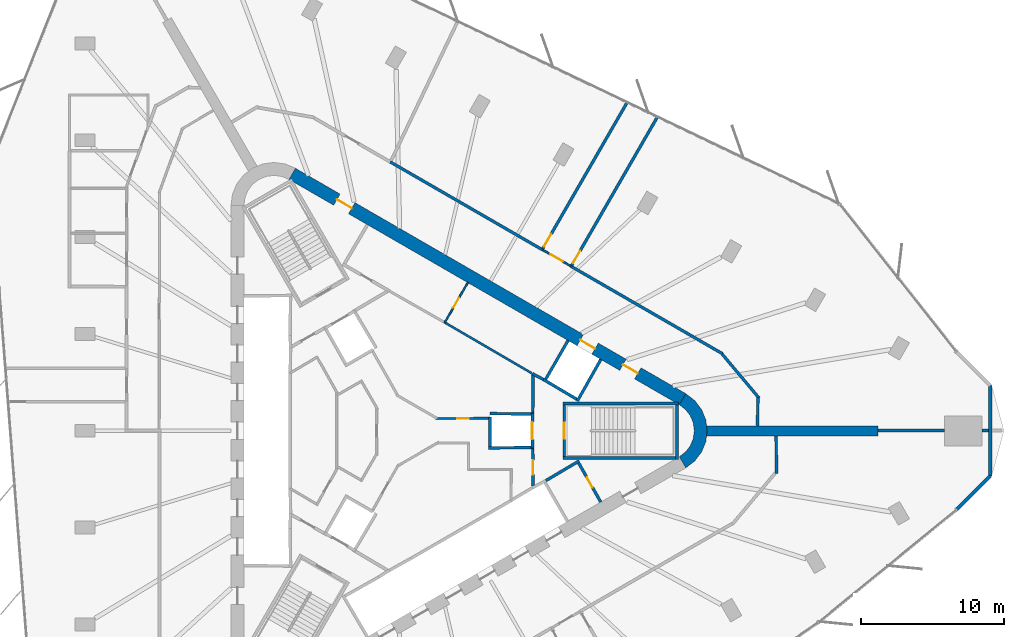
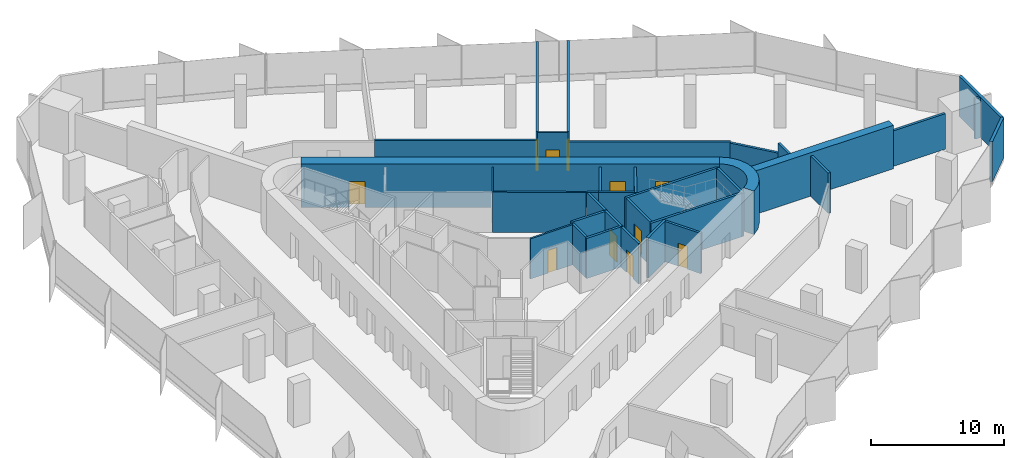
# One storey, part 11 of 13: 34 walls, 12 doors, 12 openings.
"""IFC4 building model written with IfcOpenShell, lengths in metres."""

from ifc_helpers import new_model, si_unit, direction, frame, frame_2d, origin, place, context, subcontext, project, spatial, polyline, rectangle, outline, extrude, material, layer, layer_set, type_object, element, fill, save


model = new_model("IFC4")

# Units and contexts
model_context = context("Model", 3, precision=1e-05, world=origin(), true_north=direction((0.0, 1.0)))
body_context = subcontext(model_context, "Body", "Model", "MODEL_VIEW")
ifc_project = project(units=[si_unit("LENGTHUNIT", "METRE"), si_unit("AREAUNIT", "SQUARE_METRE"), si_unit("VOLUMEUNIT", "CUBIC_METRE"), si_unit("PLANEANGLEUNIT", "RADIAN"), si_unit("MASSUNIT", "GRAM", prefix="KILO")], contexts=[model_context])

# Site, building, storey
site_placement = place(None, origin())
site = spatial("IfcSite", under=ifc_project, at=site_placement, CompositionType="ELEMENT")
building_placement = place(site_placement, origin())
building = spatial("IfcBuilding", under=site, at=building_placement, Name="Tanit Gate Tower", CompositionType="ELEMENT")
storey_placement = place(building_placement, frame((0.0, 0.0, 197.199951171875)))
storey = spatial("IfcBuildingStorey", under=building, at=storey_placement, Name="L43", CompositionType="ELEMENT", Elevation=197.199951171875)

# Wall
ifc_material_1 = material(Name="Concrete C50/60", Category="concrete")
ifc_layer_1 = layer(ifc_material_1, 0.699951171875)
ifc_layer_set_1 = layer_set([ifc_layer_1], Name="BUTTRESS FIN 700 C50/60")
wall_type_1 = type_object("IfcWallType", Name="BUTTRESS FIN 700 C50/60", PredefinedType="SHEAR", material=ifc_layer_set_1)
wall_1_placement = place(storey_placement, frame((21.14990234375, 0.0, 0.0), z_axis=(0.0, 0.0, 1.0), x_axis=(1.0, 0.0, 0.0)))
element("IfcWall", 1, at=wall_1_placement, inside=storey, type_object=wall_type_1, Name="BUTTRESS FIN", PredefinedType="SHEAR", context=body_context, shape_type="SweptSolid", body=[
    extrude(rectangle(XDim=12.0068359375, YDim=0.699951171875, at=frame_2d((6.00341796875, 0.0))), origin(), (0.0, 0.0, 1.0), 4.0),
])

# Wall, openings, doors
ifc_material_2 = material(Name="Concrete C50/60", Category="concrete")
ifc_layer_2 = layer(ifc_material_2, 0.89990234375)
ifc_layer_set_2 = layer_set([ifc_layer_2], Name="CORE WALL 900 C50/60")
wall_type_2 = type_object("IfcWallType", Name="CORE WALL 900 C50/60", PredefinedType="SHEAR", material=ifc_layer_set_2)
wall_2_placement = place(storey_placement, frame((19.47509765625, 2.20849609375, 0.0), z_axis=(0.0, 0.0, 1.0), x_axis=(-0.866028369851, 0.499994862586, 0.0)))
wall_2 = element("IfcWall", 2, at=wall_2_placement, inside=storey, type_object=wall_type_2, Name="CORE WALL", PredefinedType="SHEAR", context=body_context, shape_type="SweptSolid", body=[
    extrude(rectangle(XDim=31.523193359375, YDim=0.89990234375, at=frame_2d((15.76171875, 0.0))), origin(), (0.0, 0.0, 1.0), 4.0),
])
opening_1_placement = place(wall_2_placement, frame((7.0615234375, 0.0, 0.0)))
opening_1 = element("IfcOpeningElement", 3, at=opening_1_placement, cuts=wall_2, Name="Opening LDML8-S11", PredefinedType="OPENING", context=body_context, shape_type="SweptSolid", body=[
    extrude(rectangle(XDim=1.199951171875, YDim=2.39990234375, at=frame_2d((0.60009765625, 1.199951171875))), frame((0.0, 0.4599609375, 0.0), z_axis=(0.0, -1.0, 0.0), x_axis=(1.0, 0.0, 0.0)), (0.0, 0.0, 1.0), 0.919921875),
])
opening_2_placement = place(wall_2_placement, frame((3.611572265625, 0.0, 0.0)))
opening_2 = element("IfcOpeningElement", 4, at=opening_2_placement, cuts=wall_2, Name="Opening F12-S11-FL1", PredefinedType="OPENING", context=body_context, shape_type="SweptSolid", body=[
    extrude(rectangle(XDim=1.199951171875, YDim=2.39990234375, at=frame_2d((0.60009765625, 1.199951171875))), frame((0.0, 0.4599609375, 0.0), z_axis=(0.0, -1.0, 0.0), x_axis=(1.0, 0.0, 0.0)), (0.0, 0.0, 1.0), 0.919921875),
])
opening_3_placement = place(wall_2_placement, frame((26.711669921875, 0.0, 0.0)))
opening_3 = element("IfcOpeningElement", 5, at=opening_3_placement, cuts=wall_2, Name="Opening F12-S11-S2", PredefinedType="OPENING", context=body_context, shape_type="SweptSolid", body=[
    extrude(rectangle(XDim=1.199951171875, YDim=2.39990234375, at=frame_2d((0.60009765625, 1.199951171875))), frame((0.0, 0.4599609375, 0.0), z_axis=(0.0, -1.0, 0.0), x_axis=(1.0, 0.0, 0.0)), (0.0, 0.0, 1.0), 0.919921875),
])
ifc_material_3 = material(Name="Fire-rated steel door leaf", Category="steel")
door_type_1 = type_object("IfcDoorType", Name="INT-DOOR-FIRE-LOBBY-1200", OperationType="NOTDEFINED", PredefinedType="USERDEFINED", material=ifc_material_3)
door_1_placement = place(opening_2_placement, origin())
door_1 = element("IfcDoor", 6, at=door_1_placement, inside=storey, type_object=door_type_1, Name="Door F12-S11-FL1", ObjectType="FIRE DOOR", OperationType="SINGLE_SWING_LEFT", OverallHeight=2.39990234375, OverallWidth=1.199951171875, PredefinedType="USERDEFINED", context=body_context, shape_type="SweptSolid", body=[
    extrude(rectangle(XDim=1.199951171875, YDim=2.39990234375, at=frame_2d((0.60009765625, 1.199951171875))), frame((0.0, 0.02490234375, 0.0), z_axis=(0.0, -1.0, 0.0), x_axis=(1.0, 0.0, 0.0)), (0.0, 0.0, 1.0), 0.050048828125),
])
fill(opening_2, door_1)
door_2_placement = place(opening_3_placement, origin())
door_2 = element("IfcDoor", 7, at=door_2_placement, inside=storey, type_object=door_type_1, Name="Door F12-S11-S2", ObjectType="FIRE DOOR", OperationType="SINGLE_SWING_RIGHT", OverallHeight=2.39990234375, OverallWidth=1.199951171875, PredefinedType="USERDEFINED", context=body_context, shape_type="SweptSolid", body=[
    extrude(rectangle(XDim=1.199951171875, YDim=2.39990234375, at=frame_2d((0.60009765625, 1.199951171875))), frame((0.0, 0.02490234375, 0.0), z_axis=(0.0, -1.0, 0.0), x_axis=(1.0, 0.0, 0.0)), (0.0, 0.0, 1.0), 0.050048828125),
])
fill(opening_3, door_2)
ifc_material_4 = material(Name="Stainless steel sliding door leaf", Category="steel")
door_type_2 = type_object("IfcDoorType", Name="INT-DOOR-LANDING-1200", OperationType="NOTDEFINED", PredefinedType="USERDEFINED", material=ifc_material_4)
door_3_placement = place(opening_1_placement, origin())
door_3 = element("IfcDoor", 8, at=door_3_placement, inside=storey, type_object=door_type_2, Name="Door LDML8-S11", ObjectType="LANDING DOOR", OperationType="SLIDING_TO_LEFT", OverallHeight=2.39990234375, OverallWidth=1.199951171875, PredefinedType="USERDEFINED", context=body_context, shape_type="SweptSolid", body=[
    extrude(rectangle(XDim=1.199951171875, YDim=2.39990234375, at=frame_2d((0.60009765625, 1.199951171875))), frame((0.0, 0.02490234375, 0.0), z_axis=(0.0, -1.0, 0.0), x_axis=(1.0, 0.0, 0.0)), (0.0, 0.0, 1.0), 0.050048828125),
])
fill(opening_1, door_3)

# Walls
wall_3_placement = place(storey_placement, origin())
element("IfcWall", 9, at=wall_3_placement, inside=storey, type_object=wall_type_2, Name="CORE WALL CORNER", PredefinedType="SHEAR", context=body_context, shape_type="SweptSolid", body=[
    extrude(outline(polyline([(19.699951171875, -2.59814453125), (20.3212890625, -2.121337890625), (20.798095703125, -1.5), (21.097900390625, -0.776611328125), (21.199951171875, 0.0), (21.097900390625, 0.776611328125), (20.798095703125, 1.5), (20.3212890625, 2.121337890625), (19.699951171875, 2.59814453125), (19.25, 1.818603515625), (19.684814453125, 1.48486328125), (20.018798828125, 1.050048828125), (20.228515625, 0.54345703125), (20.300048828125, 0.0), (20.228515625, -0.54345703125), (20.018798828125, -1.050048828125), (19.684814453125, -1.48486328125), (19.25, -1.818603515625), (19.699951171875, -2.59814453125)])), origin(), (0.0, 0.0, 1.0), 4.0),
])
ifc_material_5 = material(Name="Concrete C30/37 with bronze anodised aluminium cladding", Category="concrete")
ifc_layer_3 = layer(ifc_material_5, 0.239990234375)
ifc_layer_set_3 = layer_set([ifc_layer_3], Name="Facade wall bronze clad 240")
wall_type_3 = type_object("IfcWallType", Name="Facade wall bronze clad 240", PredefinedType="SOLIDWALL", material=ifc_layer_set_3)
wall_4_placement = place(storey_placement, frame((38.648681640625, -5.5009765625, 0.0), z_axis=(0.0, 0.0, 1.0), x_axis=(0.707106781187, 0.707106781187, 0.0)))
element("IfcWall", 10, at=wall_4_placement, inside=storey, type_object=wall_type_3, Name="Bronze-clad facade wall L43 E.arc1", PredefinedType="SOLIDWALL", context=body_context, shape_type="SweptSolid", body=[
    extrude(rectangle(XDim=3.30322265625, YDim=0.239990234375, at=frame_2d((1.651611328125, 0.0))), origin(), (0.0, 0.0, 1.0), 3.699951171875),
])
wall_5_placement = place(storey_placement, frame((40.984375, -3.165283203125, 0.0), z_axis=(0.0, 0.0, 1.0), x_axis=(0.0, 1.0, 0.0)))
element("IfcWall", 11, at=wall_5_placement, inside=storey, type_object=wall_type_3, Name="Bronze-clad facade wall L43 E.arc2", PredefinedType="SOLIDWALL", context=body_context, shape_type="SweptSolid", body=[
    extrude(rectangle(XDim=6.33056640625, YDim=0.239990234375, at=frame_2d((3.165283203125, 0.0))), origin(), (0.0, 0.0, 1.0), 3.699951171875),
])
ifc_material_6 = material(Name="Fire-rated gypsum board partition")
ifc_layer_4 = layer(ifc_material_6, 0.199951171875)
ifc_layer_set_4 = layer_set([ifc_layer_4], Name="INT-WALL-COMPARTMENT")
wall_type_4 = type_object("IfcWallType", Name="INT-WALL-COMPARTMENT", PredefinedType="PARTITIONING", material=ifc_layer_set_4)
wall_6_placement = place(storey_placement, frame((8.97412109375, 3.998779296875, 0.0), z_axis=(0.0, 0.0, 1.0), x_axis=(0.880917147855, -0.473270513147, 0.0)))
element("IfcWall", 12, at=wall_6_placement, inside=storey, type_object=wall_type_4, Name="Wall Compartment W050", PredefinedType="PARTITIONING", context=body_context, shape_type="SweptSolid", body=[
    extrude(rectangle(XDim=0.8779296875, YDim=0.199951171875, at=frame_2d((0.43896484375, 0.0))), origin(), (0.0, 0.0, 1.0), 3.699951171875),
])
wall_7_placement = place(storey_placement, frame((12.244873046875, -2.10888671875, 0.0), z_axis=(0.0, 0.0, 1.0), x_axis=(-0.860414880418, -0.509594185166, 0.0)))
element("IfcWall", 13, at=wall_7_placement, inside=storey, type_object=wall_type_4, Name="Wall Compartment W055", PredefinedType="PARTITIONING", context=body_context, shape_type="SweptSolid", body=[
    extrude(rectangle(XDim=2.7001953125, YDim=0.199951171875, at=frame_2d((1.35009765625, 0.0))), origin(), (0.0, 0.0, 1.0), 3.699951171875),
])

# Wall, opening, door
wall_8_placement = place(storey_placement, frame((13.758056640625, -4.989501953125, 0.0), z_axis=(0.0, 0.0, 1.0), x_axis=(-0.491993409184, 0.87059892334, 0.0)))
wall_8 = element("IfcWall", 14, at=wall_8_placement, inside=storey, type_object=wall_type_4, Name="Wall Compartment W056", PredefinedType="PARTITIONING", context=body_context, shape_type="SweptSolid", body=[
    extrude(rectangle(XDim=3.150146484375, YDim=0.199951171875, at=frame_2d((1.5751953125, 0.0))), origin(), (0.0, 0.0, 1.0), 3.699951171875),
])
opening_4_placement = place(wall_8_placement, frame((1.175048828125, 0.0, 0.0)))
opening_4 = element("IfcOpeningElement", 15, at=opening_4_placement, cuts=wall_8, Name="Opening R08-S11-16", PredefinedType="OPENING", context=body_context, shape_type="SweptSolid", body=[
    extrude(rectangle(XDim=0.800048828125, YDim=2.10009765625, at=frame_2d((0.39990234375, 1.050048828125))), frame((0.0, 0.10986328125, 0.0), z_axis=(0.0, -1.0, 0.0), x_axis=(1.0, 0.0, 0.0)), (0.0, 0.0, 1.0), 0.219970703125),
])
ifc_material_7 = material(Name="Timber door leaf", Category="wood")
door_type_3 = type_object("IfcDoorType", Name="INT-DOOR-RISER-800", OperationType="NOTDEFINED", PredefinedType="USERDEFINED", material=ifc_material_7)
door_4_placement = place(opening_4_placement, origin())
door_4 = element("IfcDoor", 16, at=door_4_placement, inside=storey, type_object=door_type_3, Name="Door R08-S11-16", ObjectType="FIRE DOOR", OperationType="SINGLE_SWING_LEFT", OverallHeight=2.10009765625, OverallWidth=0.800048828125, PredefinedType="USERDEFINED", context=body_context, shape_type="SweptSolid", body=[
    extrude(rectangle(XDim=0.800048828125, YDim=2.10009765625, at=frame_2d((0.39990234375, 1.050048828125))), frame((0.0, 0.02490234375, 0.0), z_axis=(0.0, -1.0, 0.0), x_axis=(1.0, 0.0, 0.0)), (0.0, 0.0, 1.0), 0.050048828125),
])
fill(opening_4, door_4)

# Wall
wall_9_placement = place(storey_placement, frame((9.0009765625, 1.27001953125, 0.0), z_axis=(0.0, 0.0, 1.0), x_axis=(0.010747252091, 0.999942246619, 0.0)))
element("IfcWall", 17, at=wall_9_placement, inside=storey, type_object=wall_type_4, Name="Wall Compartment W057", PredefinedType="PARTITIONING", context=body_context, shape_type="SweptSolid", body=[
    extrude(rectangle(XDim=2.72607421875, YDim=0.199951171875, at=frame_2d((1.363037109375, 0.0))), origin(), (0.0, 0.0, 1.0), 3.699951171875),
])

# Wall, opening, door
wall_10_placement = place(storey_placement, frame((9.02880859375, -3.850830078125, 0.0), z_axis=(0.0, 0.0, 1.0), x_axis=(-0.010783593937, 0.99994185536, 0.0)))
wall_10 = element("IfcWall", 18, at=wall_10_placement, inside=storey, type_object=wall_type_4, Name="Wall Compartment W058", PredefinedType="PARTITIONING", context=body_context, shape_type="SweptSolid", body=[
    extrude(rectangle(XDim=2.5810546875, YDim=0.199951171875, at=frame_2d((1.29052734375, 0.0))), origin(), (0.0, 0.0, 1.0), 3.699951171875),
])
opening_5_placement = place(wall_10_placement, frame((0.79052734375, 0.0, 0.0)))
opening_5 = element("IfcOpeningElement", 19, at=opening_5_placement, cuts=wall_10, Name="Opening F10-S11-02", PredefinedType="OPENING", context=body_context, shape_type="SweptSolid", body=[
    extrude(rectangle(XDim=1.0, YDim=2.10009765625, at=frame_2d((0.5, 1.050048828125))), frame((0.0, 0.10986328125, 0.0), z_axis=(0.0, -1.0, 0.0), x_axis=(1.0, 0.0, 0.0)), (0.0, 0.0, 1.0), 0.219970703125),
])
ifc_material_8 = material(Name="Fire-rated steel door leaf", Category="steel")
door_type_4 = type_object("IfcDoorType", Name="INT-DOOR-FIRE-1000", OperationType="NOTDEFINED", PredefinedType="USERDEFINED", material=ifc_material_8)
door_5_placement = place(opening_5_placement, origin())
door_5 = element("IfcDoor", 20, at=door_5_placement, inside=storey, type_object=door_type_4, Name="Door F10-S11-02", ObjectType="FIRE DOOR", OperationType="SINGLE_SWING_LEFT", OverallHeight=2.10009765625, OverallWidth=1.0, PredefinedType="USERDEFINED", context=body_context, shape_type="SweptSolid", body=[
    extrude(rectangle(XDim=1.0, YDim=2.10009765625, at=frame_2d((0.5, 1.050048828125))), frame((0.0, 0.02490234375, 0.0), z_axis=(0.0, -1.0, 0.0), x_axis=(1.0, 0.0, 0.0)), (0.0, 0.0, 1.0), 0.050048828125),
])
fill(opening_5, door_5)

# Walls
wall_11_placement = place(storey_placement, frame((22.270263671875, 5.386474609375, 0.0), z_axis=(0.0, 0.0, 1.0), x_axis=(-0.866019551165, 0.500010136897, 0.0)))
element("IfcWall", 21, at=wall_11_placement, inside=storey, type_object=wall_type_4, Name="Wall Compartment W104", PredefinedType="PARTITIONING", context=body_context, shape_type="SweptSolid", body=[
    extrude(rectangle(XDim=12.243408203125, YDim=0.199951171875, at=frame_2d((6.12158203125, 0.0))), origin(), (0.0, 0.0, 1.0), 2.880126953125),
])
wall_12_placement = place(storey_placement, frame((9.67529296875, 12.658203125, 0.0), z_axis=(0.0, 0.0, 1.0), x_axis=(-0.866018456403, 0.500012033024, 0.0)))
element("IfcWall", 22, at=wall_12_placement, inside=storey, type_object=wall_type_4, Name="Wall Compartment W103", PredefinedType="PARTITIONING", context=body_context, shape_type="SweptSolid", body=[
    extrude(rectangle(XDim=12.284912109375, YDim=0.199951171875, at=frame_2d((6.142578125, 0.0))), origin(), (0.0, 0.0, 1.0), 2.97998046875),
])
wall_13_placement = place(storey_placement, frame((24.82080078125, 2.293701171875, 0.0), z_axis=(0.0, 0.0, 1.0), x_axis=(-0.642778579944, 0.766052019882, 0.0)))
element("IfcWall", 23, at=wall_13_placement, inside=storey, type_object=wall_type_4, Name="Wall Compartment W105", PredefinedType="PARTITIONING", context=body_context, shape_type="SweptSolid", body=[
    extrude(rectangle(XDim=4.00244140625, YDim=0.199951171875, at=frame_2d((2.001220703125, 0.0))), origin(), (0.0, 0.0, 1.0), 2.780029296875),
])
wall_14_placement = place(storey_placement, frame((24.720703125, 0.35009765625, 0.0), z_axis=(0.0, 0.0, 1.0), x_axis=(0.012552857034, 0.999921209786, 0.0)))
element("IfcWall", 24, at=wall_14_placement, inside=storey, type_object=wall_type_4, Name="Wall Compartment W106", PredefinedType="PARTITIONING", context=body_context, shape_type="SweptSolid", body=[
    extrude(rectangle(XDim=1.98388671875, YDim=0.199951171875, at=frame_2d((0.991943359375, 0.0))), origin(), (0.0, 0.0, 1.0), 3.699951171875),
])
wall_15_placement = place(storey_placement, frame((26.04736328125, -2.972412109375, 0.0), z_axis=(0.0, 0.0, 1.0), x_axis=(-0.010519853563, 0.99994466481, 0.0)))
element("IfcWall", 25, at=wall_15_placement, inside=storey, type_object=wall_type_4, Name="Wall Compartment W108", PredefinedType="PARTITIONING", context=body_context, shape_type="SweptSolid", body=[
    extrude(rectangle(XDim=2.62255859375, YDim=0.199951171875, at=frame_2d((1.311279296875, 0.0))), origin(), (0.0, 0.0, 1.0), 3.699951171875),
])

# Wall, opening, door
wall_16_placement = place(storey_placement, frame((15.5986328125, 22.9580078125, 0.0), z_axis=(0.0, 0.0, 1.0), x_axis=(-0.499990610615, -0.866030824681, 0.0)))
wall_16 = element("IfcWall", 26, at=wall_16_placement, inside=storey, type_object=wall_type_4, Name="Wall Compartment W128", PredefinedType="PARTITIONING", context=body_context, shape_type="SweptSolid", body=[
    extrude(rectangle(XDim=11.821533203125, YDim=0.199951171875, at=frame_2d((5.91064453125, 0.0))), origin(), (0.0, 0.0, 1.0), 3.699951171875),
])
opening_6_placement = place(wall_16_placement, frame((10.621337890625, 0.0, 0.0)))
opening_6 = element("IfcOpeningElement", 27, at=opening_6_placement, cuts=wall_16, Name="Opening F10-S11-28", PredefinedType="OPENING", context=body_context, shape_type="SweptSolid", body=[
    extrude(rectangle(XDim=1.0, YDim=2.10009765625, at=frame_2d((0.5, 1.050048828125))), frame((0.0, 0.10986328125, 0.0), z_axis=(0.0, -1.0, 0.0), x_axis=(1.0, 0.0, 0.0)), (0.0, 0.0, 1.0), 0.219970703125),
])
door_6_placement = place(opening_6_placement, origin())
door_6 = element("IfcDoor", 28, at=door_6_placement, inside=storey, type_object=door_type_4, Name="Door F10-S11-28", ObjectType="FIRE DOOR", OperationType="SINGLE_SWING_LEFT", OverallHeight=2.10009765625, OverallWidth=1.0, PredefinedType="USERDEFINED", context=body_context, shape_type="SweptSolid", body=[
    extrude(rectangle(XDim=1.0, YDim=2.10009765625, at=frame_2d((0.5, 1.050048828125))), frame((0.0, 0.02490234375, 0.0), z_axis=(0.0, -1.0, 0.0), x_axis=(1.0, 0.0, 0.0)), (0.0, 0.0, 1.0), 0.050048828125),
])
fill(opening_6, door_6)

wall_17_placement = place(storey_placement, frame((11.714599609375, 11.550048828125, 0.0), z_axis=(0.0, 0.0, 1.0), x_axis=(0.499988877688, 0.866031825159, 0.0)))
wall_17 = element("IfcWall", 29, at=wall_17_placement, inside=storey, type_object=wall_type_4, Name="Wall Compartment W129", PredefinedType="PARTITIONING", context=body_context, shape_type="SweptSolid", body=[
    extrude(rectangle(XDim=12.004150390625, YDim=0.199951171875, at=frame_2d((6.001953125, 0.0))), origin(), (0.0, 0.0, 1.0), 3.699951171875),
])
opening_7_placement = place(wall_17_placement, frame((0.199951171875, 0.0, 0.0)))
opening_7 = element("IfcOpeningElement", 30, at=opening_7_placement, cuts=wall_17, Name="Opening F10-S11-29", PredefinedType="OPENING", context=body_context, shape_type="SweptSolid", body=[
    extrude(rectangle(XDim=1.0, YDim=2.10009765625, at=frame_2d((0.5, 1.050048828125))), frame((0.0, 0.10986328125, 0.0), z_axis=(0.0, -1.0, 0.0), x_axis=(1.0, 0.0, 0.0)), (0.0, 0.0, 1.0), 0.219970703125),
])
door_7_placement = place(opening_7_placement, origin())
door_7 = element("IfcDoor", 31, at=door_7_placement, inside=storey, type_object=door_type_4, Name="Door F10-S11-29", ObjectType="FIRE DOOR", OperationType="SINGLE_SWING_LEFT", OverallHeight=2.10009765625, OverallWidth=1.0, PredefinedType="USERDEFINED", context=body_context, shape_type="SweptSolid", body=[
    extrude(rectangle(XDim=1.0, YDim=2.10009765625, at=frame_2d((0.5, 1.050048828125))), frame((0.0, 0.02490234375, 0.0), z_axis=(0.0, -1.0, 0.0), x_axis=(1.0, 0.0, 0.0)), (0.0, 0.0, 1.0), 0.050048828125),
])
fill(opening_7, door_7)

# Walls
wall_18_placement = place(storey_placement, frame((33.15673828125, 0.01806640625, 0.0), z_axis=(0.0, 0.0, 1.0), x_axis=(0.999996690576, 0.002572710167, 0.0)))
element("IfcWall", 32, at=wall_18_placement, inside=storey, type_object=wall_type_4, Name="Wall Compartment W131", PredefinedType="PARTITIONING", context=body_context, shape_type="SweptSolid", body=[
    extrude(rectangle(XDim=4.64990234375, YDim=0.199951171875, at=frame_2d((2.324951171875, 0.0))), origin(), (0.0, 0.0, 1.0), 3.27001953125),
])
wall_19_placement = place(storey_placement, frame((40.40673828125, 0.030029296875, 0.0), z_axis=(0.0, 0.0, 1.0), x_axis=(1.0, 0.0, 0.0)))
element("IfcWall", 33, at=wall_19_placement, inside=storey, type_object=wall_type_4, Name="Wall Compartment W132", PredefinedType="PARTITIONING", context=body_context, shape_type="SweptSolid", body=[
    extrude(rectangle(XDim=0.45751953125, YDim=0.199951171875, at=frame_2d((0.228759765625, 0.0))), origin(), (0.0, 0.0, 1.0), 3.699951171875),
])

# Wall, opening, door
ifc_material_9 = material(Name="Gypsum board partition")
ifc_layer_5 = layer(ifc_material_9, 0.1201171875)
ifc_layer_set_5 = layer_set([ifc_layer_5], Name="INT-WALL-PARTITION")
wall_type_5 = type_object("IfcWallType", Name="INT-WALL-PARTITION", PredefinedType="PARTITIONING", material=ifc_layer_set_5)
wall_20_placement = place(storey_placement, frame((4.456787109375, 10.359375, 0.0), z_axis=(0.0, 0.0, 1.0), x_axis=(-0.500017246033, -0.866015446554, 0.0)))
wall_20 = element("IfcWall", 34, at=wall_20_placement, inside=storey, type_object=wall_type_5, Name="Wall Partition W049", PredefinedType="PARTITIONING", context=body_context, shape_type="SweptSolid", body=[
    extrude(rectangle(XDim=3.25, YDim=0.1201171875, at=frame_2d((1.625, 0.0))), origin(), (0.0, 0.0, 1.0), 3.699951171875),
])
opening_8_placement = place(wall_20_placement, frame((1.22509765625, 0.0, 0.0)))
opening_8 = element("IfcOpeningElement", 35, at=opening_8_placement, cuts=wall_20, Name="Opening R08-S11-14", PredefinedType="OPENING", context=body_context, shape_type="SweptSolid", body=[
    extrude(rectangle(XDim=0.800048828125, YDim=2.10009765625, at=frame_2d((0.39990234375, 1.050048828125))), frame((0.0, 0.070068359375, 0.0), z_axis=(0.0, -1.0, 0.0), x_axis=(1.0, 0.0, 0.0)), (0.0, 0.0, 1.0), 0.14013671875),
])
door_8_placement = place(opening_8_placement, origin())
door_8 = element("IfcDoor", 36, at=door_8_placement, inside=storey, type_object=door_type_3, Name="Door R08-S11-14", ObjectType="FIRE DOOR", OperationType="SINGLE_SWING_RIGHT", OverallHeight=2.10009765625, OverallWidth=0.800048828125, PredefinedType="USERDEFINED", context=body_context, shape_type="SweptSolid", body=[
    extrude(rectangle(XDim=0.800048828125, YDim=2.10009765625, at=frame_2d((0.39990234375, 1.050048828125))), frame((0.0, 0.02490234375, 0.0), z_axis=(0.0, -1.0, 0.0), x_axis=(1.0, 0.0, 0.0)), (0.0, 0.0, 1.0), 0.050048828125),
])
fill(opening_8, door_8)

wall_21_placement = place(storey_placement, frame((11.667236328125, 11.50830078125, 0.0), z_axis=(0.0, 0.0, 1.0), x_axis=(-0.866053019151, 0.499952165731, 0.0)))
wall_21 = element("IfcWall", 37, at=wall_21_placement, inside=storey, type_object=wall_type_5, Name="Wall Partition W099", PredefinedType="PARTITIONING", context=body_context, shape_type="SweptSolid", body=[
    extrude(rectangle(XDim=2.300048828125, YDim=0.1201171875, at=frame_2d((1.14990234375, 0.0))), origin(), (0.0, 0.0, 1.0), 3.699951171875),
])
opening_9_placement = place(wall_21_placement, frame((0.64990234375, 0.0, 0.0)))
opening_9 = element("IfcOpeningElement", 38, at=opening_9_placement, cuts=wall_21, Name="Opening D10-S11-19", PredefinedType="OPENING", context=body_context, shape_type="SweptSolid", body=[
    extrude(rectangle(XDim=1.0, YDim=2.10009765625, at=frame_2d((0.5, 1.050048828125))), frame((0.0, 0.070068359375, 0.0), z_axis=(0.0, -1.0, 0.0), x_axis=(1.0, 0.0, 0.0)), (0.0, 0.0, 1.0), 0.14013671875),
])
ifc_material_10 = material(Name="Timber door leaf", Category="wood")
door_type_5 = type_object("IfcDoorType", Name="INT-DOOR-SINGLE-1000", OperationType="NOTDEFINED", PredefinedType="NOTDEFINED", material=ifc_material_10)
door_9_placement = place(opening_9_placement, origin())
door_9 = element("IfcDoor", 39, at=door_9_placement, inside=storey, type_object=door_type_5, Name="Door D10-S11-19", OperationType="SINGLE_SWING_LEFT", OverallHeight=2.10009765625, OverallWidth=1.0, PredefinedType="NOTDEFINED", context=body_context, shape_type="SweptSolid", body=[
    extrude(rectangle(XDim=1.0, YDim=2.10009765625, at=frame_2d((0.5, 1.050048828125))), frame((0.0, 0.02490234375, 0.0), z_axis=(0.0, -1.0, 0.0), x_axis=(1.0, 0.0, 0.0)), (0.0, 0.0, 1.0), 0.050048828125),
])
fill(opening_9, door_9)

# Wall
ifc_material_11 = material(Name="Fire-rated gypsum board partition")
ifc_layer_6 = layer(ifc_material_11, 0.14990234375)
ifc_layer_set_6 = layer_set([ifc_layer_6], Name="INT-WALL-RISER")
wall_type_6 = type_object("IfcWallType", Name="INT-WALL-RISER", PredefinedType="PLUMBINGWALL", material=ifc_layer_set_6)
wall_22_placement = place(storey_placement, frame((8.9306640625, 4.0244140625, 0.0), z_axis=(0.0, 0.0, 1.0), x_axis=(-0.863936620311, 0.50360055211, 0.0)))
element("IfcWall", 40, at=wall_22_placement, inside=storey, type_object=wall_type_6, Name="Wall Riser W051", PredefinedType="PLUMBINGWALL", context=body_context, shape_type="SweptSolid", body=[
    extrude(rectangle(XDim=7.072021484375, YDim=0.14990234375, at=frame_2d((3.5361328125, 0.0))), origin(), (0.0, 0.0, 1.0), 3.699951171875),
])

# Wall, opening, door
wall_23_placement = place(storey_placement, frame((2.210693359375, 0.848876953125, 0.0), z_axis=(0.0, 0.0, 1.0), x_axis=(0.999967410175, 0.00807332566, 0.0)))
wall_23 = element("IfcWall", 41, at=wall_23_placement, inside=storey, type_object=wall_type_6, Name="Wall Riser W063", PredefinedType="PLUMBINGWALL", context=body_context, shape_type="SweptSolid", body=[
    extrude(rectangle(XDim=3.689208984375, YDim=0.14990234375, at=frame_2d((1.8447265625, 0.0))), origin(), (0.0, 0.0, 1.0), 3.699951171875),
])
opening_10_placement = place(wall_23_placement, frame((1.50830078125, 0.0, 0.0)))
opening_10 = element("IfcOpeningElement", 42, at=opening_10_placement, cuts=wall_23, Name="Opening R08-S11-10", PredefinedType="OPENING", context=body_context, shape_type="SweptSolid", body=[
    extrude(rectangle(XDim=0.800048828125, YDim=2.10009765625, at=frame_2d((0.39990234375, 1.050048828125))), frame((0.0, 0.0849609375, 0.0), z_axis=(0.0, -1.0, 0.0), x_axis=(1.0, 0.0, 0.0)), (0.0, 0.0, 1.0), 0.169921875),
])
door_10_placement = place(opening_10_placement, origin())
door_10 = element("IfcDoor", 43, at=door_10_placement, inside=storey, type_object=door_type_3, Name="Door R08-S11-10", ObjectType="FIRE DOOR", OperationType="SINGLE_SWING_LEFT", OverallHeight=2.10009765625, OverallWidth=0.800048828125, PredefinedType="USERDEFINED", context=body_context, shape_type="SweptSolid", body=[
    extrude(rectangle(XDim=0.800048828125, YDim=2.10009765625, at=frame_2d((0.39990234375, 1.050048828125))), frame((0.0, 0.02490234375, 0.0), z_axis=(0.0, -1.0, 0.0), x_axis=(1.0, 0.0, 0.0)), (0.0, 0.0, 1.0), 0.050048828125),
])
fill(opening_10, door_10)

# Walls
ifc_material_12 = material(Name="Gypsum shaft wall system")
ifc_layer_7 = layer(ifc_material_12, 0.199951171875)
ifc_layer_set_7 = layer_set([ifc_layer_7], Name="INT-WALL-SHAFT")
wall_type_7 = type_object("IfcWallType", Name="INT-WALL-SHAFT", PredefinedType="PLUMBINGWALL", material=ifc_layer_set_7)
wall_24_placement = place(storey_placement, frame((9.8466796875, 3.494873046875, 0.0), z_axis=(0.0, 0.0, 1.0), x_axis=(0.499984717929, 0.866034226713, 0.0)))
element("IfcWall", 44, at=wall_24_placement, inside=storey, type_object=wall_type_7, Name="Wall Shaft W012", PredefinedType="PLUMBINGWALL", context=body_context, shape_type="SweptSolid", body=[
    extrude(rectangle(XDim=3.25, YDim=0.199951171875, at=frame_2d((1.625, 0.0))), origin(), (0.0, 0.0, 1.0), 3.699951171875),
])
wall_25_placement = place(storey_placement, frame((12.10986328125, 2.07275390625, 0.0), z_axis=(0.0, 0.0, 1.0), x_axis=(0.49196600604, 0.870614408852, 0.0)))
element("IfcWall", 45, at=wall_25_placement, inside=storey, type_object=wall_type_7, Name="Wall Shaft W013", PredefinedType="PLUMBINGWALL", context=body_context, shape_type="SweptSolid", body=[
    extrude(rectangle(XDim=3.35009765625, YDim=0.199951171875, at=frame_2d((1.675048828125, 0.0))), origin(), (0.0, 0.0, 1.0), 3.699951171875),
])
wall_26_placement = place(storey_placement, frame((12.072998046875, 2.2109375, 0.0), z_axis=(0.0, 0.0, 1.0), x_axis=(-0.860414880418, 0.509594185166, 0.0)))
element("IfcWall", 46, at=wall_26_placement, inside=storey, type_object=wall_type_7, Name="Wall Shaft W014", PredefinedType="PLUMBINGWALL", context=body_context, shape_type="SweptSolid", body=[
    extrude(rectangle(XDim=2.7001953125, YDim=0.199951171875, at=frame_2d((1.35009765625, 0.0))), origin(), (0.0, 0.0, 1.0), 3.699951171875),
])

# Wall, opening, door
wall_27_placement = place(storey_placement, frame((8.969970703125, 1.199951171875, 0.0), z_axis=(0.0, 0.0, 1.0), x_axis=(0.0, -1.0, 0.0)))
wall_27 = element("IfcWall", 47, at=wall_27_placement, inside=storey, type_object=wall_type_7, Name="Wall Shaft W029", PredefinedType="PLUMBINGWALL", context=body_context, shape_type="SweptSolid", body=[
    extrude(rectangle(XDim=2.39990234375, YDim=0.199951171875, at=frame_2d((1.199951171875, 0.0))), origin(), (0.0, 0.0, 1.0), 3.699951171875),
])
opening_11_placement = place(wall_27_placement, frame((0.60009765625, 0.0, 0.0)))
opening_11 = element("IfcOpeningElement", 48, at=opening_11_placement, cuts=wall_27, Name="Opening LDFL1-L43", PredefinedType="OPENING", context=body_context, shape_type="SweptSolid", body=[
    extrude(rectangle(XDim=1.199951171875, YDim=2.39990234375, at=frame_2d((0.60009765625, 1.199951171875))), frame((0.0, 0.10986328125, 0.0), z_axis=(0.0, -1.0, 0.0), x_axis=(1.0, 0.0, 0.0)), (0.0, 0.0, 1.0), 0.219970703125),
])
door_11_placement = place(opening_11_placement, origin())
door_11 = element("IfcDoor", 49, at=door_11_placement, inside=storey, type_object=door_type_2, Name="Door LDFL1-L43", ObjectType="LANDING DOOR", OperationType="SLIDING_TO_LEFT", OverallHeight=2.39990234375, OverallWidth=1.199951171875, PredefinedType="USERDEFINED", context=body_context, shape_type="SweptSolid", body=[
    extrude(rectangle(XDim=1.199951171875, YDim=2.39990234375, at=frame_2d((0.60009765625, 1.199951171875))), frame((0.0, 0.02490234375, 0.0), z_axis=(0.0, -1.0, 0.0), x_axis=(1.0, 0.0, 0.0)), (0.0, 0.0, 1.0), 0.050048828125),
])
fill(opening_11, door_11)

# Walls
wall_28_placement = place(storey_placement, frame((6.0, 1.199951171875, 0.0), z_axis=(0.0, 0.0, 1.0), x_axis=(0.999949988, -0.010001074852, 0.0)))
element("IfcWall", 50, at=wall_28_placement, inside=storey, type_object=wall_type_7, Name="Wall Shaft W030", PredefinedType="PLUMBINGWALL", context=body_context, shape_type="SweptSolid", body=[
    extrude(rectangle(XDim=3.100341796875, YDim=0.199951171875, at=frame_2d((1.55029296875, 0.0))), origin(), (0.0, 0.0, 1.0), 3.699951171875),
])
wall_29_placement = place(storey_placement, frame((5.89990234375, -1.200927734375, 0.0), z_axis=(0.0, 0.0, 1.0), x_axis=(0.999950064753, 0.009993397809, 0.0)))
element("IfcWall", 51, at=wall_29_placement, inside=storey, type_object=wall_type_7, Name="Wall Shaft W031", PredefinedType="PLUMBINGWALL", context=body_context, shape_type="SweptSolid", body=[
    extrude(rectangle(XDim=3.200439453125, YDim=0.199951171875, at=frame_2d((1.60009765625, 0.0))), origin(), (0.0, 0.0, 1.0), 3.699951171875),
])
wall_30_placement = place(storey_placement, frame((6.0, -1.10009765625, 0.0), z_axis=(0.0, 0.0, 1.0), x_axis=(0.0, 1.0, 0.0)))
element("IfcWall", 52, at=wall_30_placement, inside=storey, type_object=wall_type_7, Name="Wall Shaft W032", PredefinedType="PLUMBINGWALL", context=body_context, shape_type="SweptSolid", body=[
    extrude(rectangle(XDim=2.0546875, YDim=0.199951171875, at=frame_2d((1.02734375, 0.0))), origin(), (0.0, 0.0, 1.0), 3.699951171875),
])
ifc_material_13 = material(Name="Concrete C40/50", Category="concrete")
ifc_layer_8 = layer(ifc_material_13, 0.199951171875)
ifc_layer_set_8 = layer_set([ifc_layer_8], Name="INT-WALL-STAIR")
wall_type_8 = type_object("IfcWallType", Name="INT-WALL-STAIR", PredefinedType="SHEAR", material=ifc_layer_set_8)
wall_31_placement = place(storey_placement, frame((19.199951171875, 1.89990234375, -0.300048828125), z_axis=(0.0, 0.0, 1.0), x_axis=(-1.0, 0.0, 0.0)))
element("IfcWall", 53, at=wall_31_placement, inside=storey, type_object=wall_type_8, Name="Wall Stair W025", PredefinedType="SHEAR", context=body_context, shape_type="SweptSolid", body=[
    extrude(rectangle(XDim=8.099853515625, YDim=0.199951171875, at=frame_2d((4.0498046875, 0.0))), origin(), (0.0, 0.0, 1.0), 4.0),
])
wall_32_placement = place(storey_placement, frame((19.10009765625, -2.0, -0.300048828125), z_axis=(0.0, 0.0, 1.0), x_axis=(0.0, 1.0, 0.0)))
element("IfcWall", 54, at=wall_32_placement, inside=storey, type_object=wall_type_8, Name="Wall Stair W026", PredefinedType="SHEAR", context=body_context, shape_type="SweptSolid", body=[
    extrude(rectangle(XDim=3.800048828125, YDim=0.199951171875, at=frame_2d((1.89990234375, 0.0))), origin(), (0.0, 0.0, 1.0), 4.0),
])
wall_33_placement = place(storey_placement, frame((11.10009765625, -1.89990234375, -0.300048828125), z_axis=(0.0, 0.0, 1.0), x_axis=(1.0, 0.0, 0.0)))
element("IfcWall", 55, at=wall_33_placement, inside=storey, type_object=wall_type_8, Name="Wall Stair W027", PredefinedType="SHEAR", context=body_context, shape_type="SweptSolid", body=[
    extrude(rectangle(XDim=7.89990234375, YDim=0.199951171875, at=frame_2d((3.949951171875, 0.0))), origin(), (0.0, 0.0, 1.0), 4.0),
])

# Wall, opening, door
wall_34_placement = place(storey_placement, frame((11.199951171875, -1.800048828125, -0.300048828125), z_axis=(0.0, 0.0, 1.0), x_axis=(0.0, 1.0, 0.0)))
wall_34 = element("IfcWall", 56, at=wall_34_placement, inside=storey, type_object=wall_type_8, Name="Wall Stair W028", PredefinedType="SHEAR", context=body_context, shape_type="SweptSolid", body=[
    extrude(rectangle(XDim=3.60009765625, YDim=0.199951171875, at=frame_2d((1.800048828125, 0.0))), origin(), (0.0, 0.0, 1.0), 4.0),
])
opening_12_placement = place(wall_34_placement, frame((1.25, 0.0, 0.300048828125)))
opening_12 = element("IfcOpeningElement", 57, at=opening_12_placement, cuts=wall_34, Name="Opening S11-S11-01", PredefinedType="OPENING", context=body_context, shape_type="SweptSolid", body=[
    extrude(rectangle(XDim=1.10009765625, YDim=2.10009765625, at=frame_2d((0.550048828125, 1.050048828125))), frame((0.0, 0.10986328125, 0.0), z_axis=(0.0, -1.0, 0.0), x_axis=(1.0, 0.0, 0.0)), (0.0, 0.0, 1.0), 0.219970703125),
])
ifc_material_14 = material(Name="Timber door leaf", Category="wood")
door_type_6 = type_object("IfcDoorType", Name="INT-DOOR-STAIR-1100", OperationType="NOTDEFINED", PredefinedType="USERDEFINED", material=ifc_material_14)
door_12_placement = place(opening_12_placement, origin())
door_12 = element("IfcDoor", 58, at=door_12_placement, inside=storey, type_object=door_type_6, Name="Door S11-S11-01", ObjectType="FIRE DOOR", OperationType="SINGLE_SWING_LEFT", OverallHeight=2.10009765625, OverallWidth=1.10009765625, PredefinedType="USERDEFINED", context=body_context, shape_type="SweptSolid", body=[
    extrude(rectangle(XDim=1.10009765625, YDim=2.10009765625, at=frame_2d((0.550048828125, 1.050048828125))), frame((0.0, 0.02490234375, 0.0), z_axis=(0.0, -1.0, 0.0), x_axis=(1.0, 0.0, 0.0)), (0.0, 0.0, 1.0), 0.050048828125),
])
fill(opening_12, door_12)

save(model, "model.ifc")
